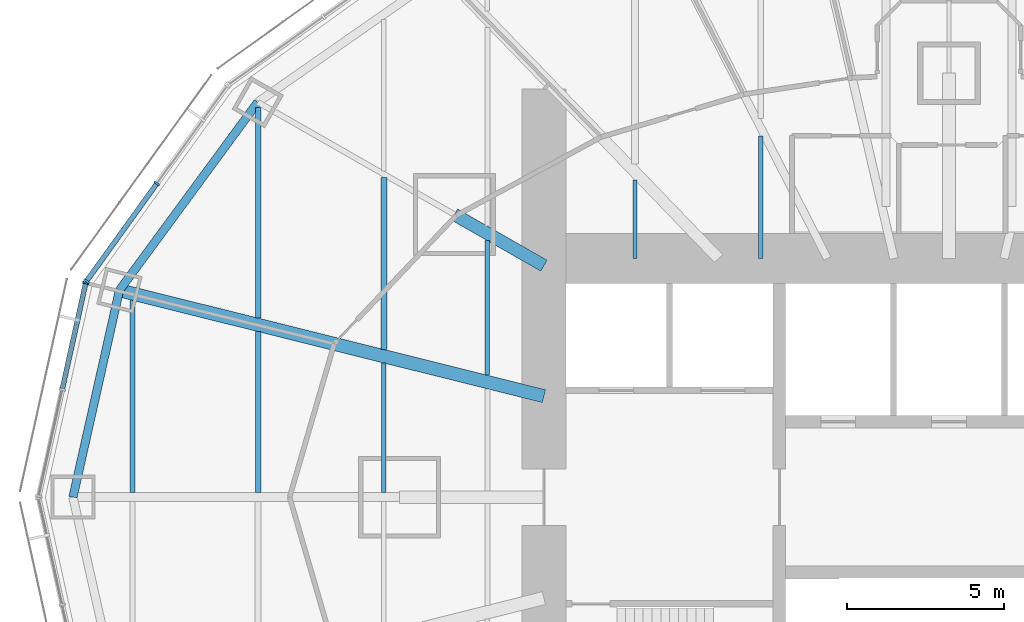
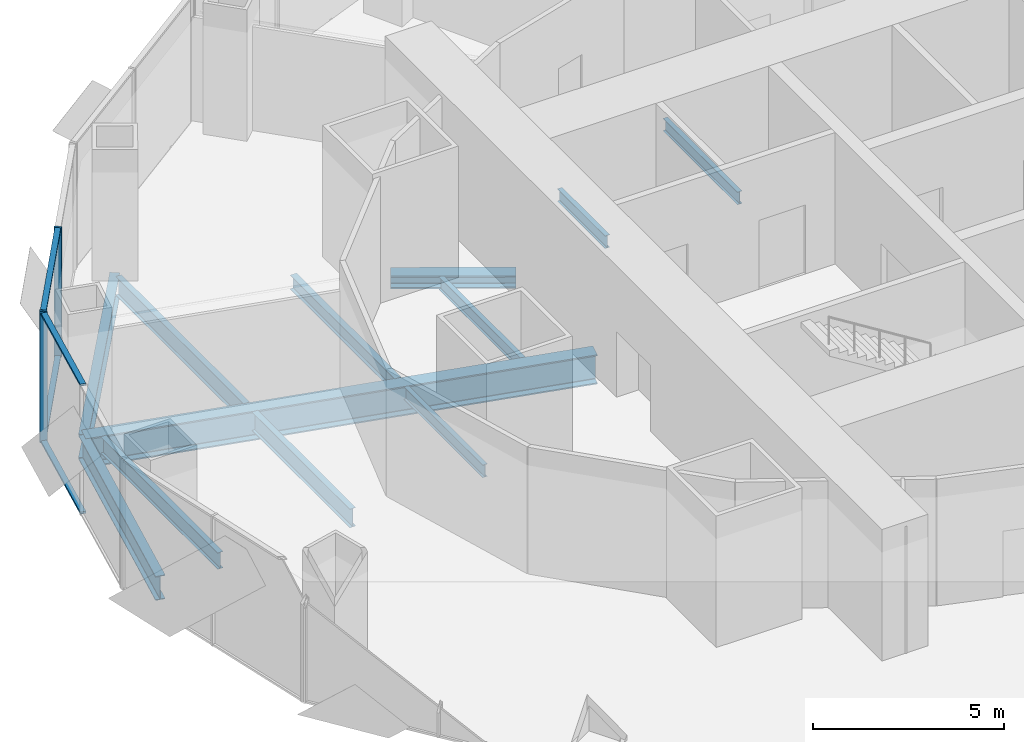
# One storey, part 4 of 18: 12 beams, 7 members, 2 elements without a shape of their own.
"""IFC4 building model written with IfcOpenShell, lengths in metres."""

import ifcopenshell
import ifcopenshell.guid

model = None  # the IFC model being written
_history = None  # IfcOwnerHistory: only IFC2X3 demands one
_inside = {}  # id of a spatial element -> (the spatial element, [elements in it])
_under = {}  # id of a project, library or spatial element -> (it, [spatial elements below it])
_declared = {}  # id of a project -> (the project, [libraries it declares])
_typed = {}  # id of a type object -> (the type object, [elements of that type])
_made_of = {}  # id of a material, layer set ... -> (it, [elements and type objects made of it])


def new_model(schema):
    """Start an empty IFC model of exactly this schema.

    Asked for "IFC4X3", IfcOpenShell would pick the latest addendum, in which some entities
    have other attributes; the version numbers below select the first issue.
    IFC2X3 requires an IfcOwnerHistory on every rooted entity: one is made here for all.
    """
    global model, _history
    if schema == "IFC4X3":
        model = ifcopenshell.file(schema_version=(4, 3, 0, 0))
    else:
        model = ifcopenshell.file(schema=schema)
    _inside.clear()
    _under.clear()
    _declared.clear()
    _typed.clear()
    _made_of.clear()
    _history = None
    if model.schema == "IFC2X3":
        org = make("IfcOrganization", Name="unknown")
        user = make(
            "IfcPersonAndOrganization",
            ThePerson=make("IfcPerson", FamilyName="unknown"),
            TheOrganization=org,
        )
        app = make(
            "IfcApplication",
            ApplicationDeveloper=org,
            Version="unknown",
            ApplicationFullName="unknown",
            ApplicationIdentifier="unknown",
        )
        _history = make(
            "IfcOwnerHistory",
            OwningUser=user,
            OwningApplication=app,
            ChangeAction="ADDED",
            CreationDate=0,
        )
    return model


def make(cls, **values):
    """One entity of the class cls with the attributes given. An attribute that is None is left unset."""
    return model.create_entity(
        cls, **{name: value for name, value in values.items() if value is not None}
    )


def rooted(cls, **values):
    """An entity with a GlobalId (a new one), such as an element, a storey or a relation."""
    return make(cls, GlobalId=ifcopenshell.guid.new(), OwnerHistory=_history, **values)


def si_unit(unit_type, name, prefix=None):
    """IfcSIUnit, for example si_unit("LENGTHUNIT", "METRE", prefix="MILLI")."""
    return make("IfcSIUnit", UnitType=unit_type, Prefix=prefix, Name=name)


def assignment(units):
    """IfcUnitAssignment: the units of a project."""
    return None if units is None else make("IfcUnitAssignment", Units=units)


def point(xyz):
    """IfcCartesianPoint."""
    return None if xyz is None else make("IfcCartesianPoint", Coordinates=xyz)


def direction(xyz):
    """IfcDirection."""
    return None if xyz is None else make("IfcDirection", DirectionRatios=xyz)


def frame(location, z_axis=None, x_axis=None):
    """IfcAxis2Placement3D, a coordinate frame: its origin and axes. An axis left out is left unset."""
    return make(
        "IfcAxis2Placement3D",
        Location=point(location),
        Axis=direction(z_axis),
        RefDirection=direction(x_axis),
    )


def frame_2d(location, x_axis=None):
    """IfcAxis2Placement2D, a coordinate frame in the plane: its origin and x axis."""
    return make(
        "IfcAxis2Placement2D", Location=point(location), RefDirection=direction(x_axis)
    )


def origin():
    """The frame at (0, 0, 0) with its axes left unset."""
    return frame((0.0, 0.0, 0.0))


def origin_2d():
    """The frame at (0, 0) in the plane with its x axis left unset."""
    return frame_2d((0.0, 0.0))


def place(relative_to, where):
    """IfcLocalPlacement: puts the frame where relative to a parent placement (None: the world)."""
    return make(
        "IfcLocalPlacement", PlacementRelTo=relative_to, RelativePlacement=where
    )


def context(
    kind, dimensions, precision=None, world=None, true_north=None, identifier=None
):
    """IfcGeometricRepresentationContext, for example the 3D "Model" context."""
    return make(
        "IfcGeometricRepresentationContext",
        ContextIdentifier=identifier,
        ContextType=kind,
        CoordinateSpaceDimension=dimensions,
        Precision=precision,
        WorldCoordinateSystem=world,
        TrueNorth=true_north,
    )


def subcontext(parent, identifier, kind, view, scale=None):
    """IfcGeometricRepresentationSubContext, for example "Body" below "Model"."""
    return make(
        "IfcGeometricRepresentationSubContext",
        ContextIdentifier=identifier,
        ContextType=kind,
        ParentContext=parent,
        TargetScale=scale,
        TargetView=view,
    )


def project(units=None, contexts=None):
    """IfcProject with its units and contexts."""
    return rooted(
        "IfcProject",
        Name="project",
        RepresentationContexts=contexts,
        UnitsInContext=assignment(units),
    )


def spatial(cls, under=None, at=None, **own):
    """A site, building, storey or space (cls), placed at a placement, below another one or the project."""
    s = rooted(cls, ObjectPlacement=at, **own)
    if under is not None:
        _under.setdefault(under.id(), (under, []))[1].append(s)
    return s


def profile(cls, at=None, kind="AREA", **sizes):
    """A parametric profile (cls). Its sizes go by their IFC names, for example OverallWidth=200.0."""
    return make(cls, ProfileType=kind, Position=at, **sizes)


def rectangle(**sizes):
    """IfcRectangleProfileDef."""
    return profile("IfcRectangleProfileDef", **sizes)


def i_section(**sizes):
    """IfcIShapeProfileDef."""
    return profile("IfcIShapeProfileDef", **sizes)


def extrude(swept, where, along, depth):
    """IfcExtrudedAreaSolid: the profile swept, set in the frame where, extruded along a direction by depth."""
    return make(
        "IfcExtrudedAreaSolid",
        SweptArea=swept,
        Position=where,
        ExtrudedDirection=direction(along),
        Depth=depth,
    )


def shape(context_of_items, identifier, shape_type, items):
    """IfcShapeRepresentation: the items that make up one representation, for example the "Body"."""
    return make(
        "IfcShapeRepresentation",
        ContextOfItems=context_of_items,
        RepresentationIdentifier=identifier,
        RepresentationType=shape_type,
        Items=items,
    )


def material(Name=None, Category=None):
    """IfcMaterial."""
    return make("IfcMaterial", Name=Name, Category=Category)


def material_profile(
    of_material, cross_section, Name=None, Category=None, Priority=None
):
    """IfcMaterialProfile: a cross section and its material."""
    return make(
        "IfcMaterialProfile",
        Name=Name,
        Material=of_material,
        Profile=cross_section,
        Priority=Priority,
        Category=Category,
    )


def profile_set(profiles, Name=None, composite=None):
    """IfcMaterialProfileSet."""
    return make(
        "IfcMaterialProfileSet",
        Name=Name,
        MaterialProfiles=profiles,
        CompositeProfile=composite,
    )


def made_of(thing, what):
    """Note that an element or type object is made of a material, layer set ...; save() writes the relation."""
    if what is not None:
        _made_of.setdefault(what.id(), (what, []))[1].append(thing)
    return thing


def type_object(cls, material=None, **own):
    """A type object (cls), such as IfcWallType, which elements share."""
    return made_of(rooted(cls, **own), material)


def element(
    cls,
    number,
    at=None,
    inside=None,
    cuts=None,
    type_object=None,
    material=None,
    context=None,
    identifier="Body",
    shape_type=None,
    held_by="IfcProductDefinitionShape",
    body=None,
    shapes=None,
    **own,
):
    """One element of the class cls, such as IfcWall. Its Tag is "e" and its number.

    at: its placement. inside: the storey or other place that contains it. cuts: it is an
    opening in that element (IfcRelVoidsElement). A single representation is given by context,
    identifier, shape_type and body (its items); several are given by shapes. held_by: the class
    of the entity that holds the representations. save() writes the other relations.
    """
    e = rooted(cls, Tag="e%d" % number, ObjectPlacement=at, **own)
    if body is not None:
        shapes = [shape(context, identifier, shape_type, body)]
    if shapes is not None:
        e.Representation = make(held_by, Representations=shapes)
    if inside is not None:
        _inside.setdefault(inside.id(), (inside, []))[1].append(e)
    if cuts is not None:
        rooted(
            "IfcRelVoidsElement", RelatingBuildingElement=cuts, RelatedOpeningElement=e
        )
    if type_object is not None:
        _typed.setdefault(type_object.id(), (type_object, []))[1].append(e)
    return made_of(e, material)


def aggregate(whole, parts):
    """IfcRelAggregates: a whole, such as a stair, and the parts it consists of."""
    return rooted("IfcRelAggregates", RelatingObject=whole, RelatedObjects=parts)


def save(model, path):
    """Write the relations noted so far, then the file.

    IfcRelAggregates (storeys below a building ...), IfcRelContainedInSpatialStructure (elements
    in a storey), IfcRelDefinesByType, IfcRelAssociatesMaterial and IfcRelDeclares: one each for
    every whole, place, type object, material and project.
    """
    for whole, parts in _under.values():
        aggregate(whole, parts)
    for where, things in _inside.values():
        rooted(
            "IfcRelContainedInSpatialStructure",
            RelatedElements=things,
            RelatingStructure=where,
        )
    for kind, things in _typed.values():
        rooted("IfcRelDefinesByType", RelatedObjects=things, RelatingType=kind)
    for what, things in _made_of.values():
        rooted("IfcRelAssociatesMaterial", RelatedObjects=things, RelatingMaterial=what)
    for by, libraries in _declared.values():
        rooted("IfcRelDeclares", RelatingContext=by, RelatedDefinitions=libraries)
    model.write(path)


model = new_model("IFC4")

# Units and contexts
model_context = context("Model", 3, precision=1e-05, world=origin(), true_north=direction((0.0, 1.0)))
body_context = subcontext(model_context, "Body", "Model", "MODEL_VIEW")
ifc_project = project(units=[si_unit("LENGTHUNIT", "METRE"), si_unit("AREAUNIT", "SQUARE_METRE"), si_unit("VOLUMEUNIT", "CUBIC_METRE"), si_unit("PLANEANGLEUNIT", "RADIAN"), si_unit("MASSUNIT", "GRAM", prefix="KILO")], contexts=[model_context])

# Site, building, storey
site_placement = place(None, origin())
site = spatial("IfcSite", under=ifc_project, at=site_placement, CompositionType="ELEMENT")
building_placement = place(site_placement, origin())
building = spatial("IfcBuilding", under=site, at=building_placement, Name="Lantaw Convention Tower", CompositionType="ELEMENT")
storey_placement = place(building_placement, frame((0.0, 0.0, 146.800048828125)))
storey = spatial("IfcBuildingStorey", under=building, at=storey_placement, Name="L34", CompositionType="ELEMENT", Elevation=146.800048828125)

# Beams
ifc_material_1 = material(Name="Steel ASTM A992", Category="steel")
ifc_material_profile_1 = material_profile(ifc_material_1, i_section(OverallWidth=0.2666015625, OverallDepth=0.76953125, WebThickness=0.015625, FlangeThickness=0.025390625, FilletRadius=0.0126953125, at=origin_2d()), Name="W30X132")
ifc_profile_set_1 = profile_set([ifc_material_profile_1], Name="Steel ASTM A992")
beam_type_1 = type_object("IfcBeamType", Name="Beam E W30X132", PredefinedType="SPANDREL", material=ifc_profile_set_1)
beam_1_placement = place(storey_placement, frame((-22.013916015625, 12.579345703125, -0.534912109375), z_axis=(-0.5923891972, -0.805651934176, 0.0), x_axis=(0.805651934176, -0.5923891972, 0.0)))
element("IfcBeam", 1, at=beam_1_placement, inside=storey, type_object=beam_type_1, Name="Edge beam 11", PredefinedType="SPANDREL", context=body_context, shape_type="SweptSolid", body=[
    extrude(i_section(OverallWidth=0.2666015625, OverallDepth=0.76953125, WebThickness=0.015625, FlangeThickness=0.025390625, FilletRadius=0.0126953125, at=origin_2d()), origin(), (0.0, 0.0, 1.0), 7.437744140625),
])
beam_2_placement = place(storey_placement, frame((-26.419921875, 6.587158203125, -0.534912109375), z_axis=(-0.219211877447, -0.975677279015, 0.0), x_axis=(0.975677279015, -0.219211877447, 0.0)))
element("IfcBeam", 2, at=beam_2_placement, inside=storey, type_object=beam_type_1, Name="Edge beam 12", PredefinedType="SPANDREL", context=body_context, shape_type="SweptSolid", body=[
    extrude(i_section(OverallWidth=0.2666015625, OverallDepth=0.76953125, WebThickness=0.015625, FlangeThickness=0.025390625, FilletRadius=0.0126953125, at=origin_2d()), origin(), (0.0, 0.0, 1.0), 6.75146484375),
])
ifc_material_profile_2 = material_profile(ifc_material_1, i_section(OverallWidth=0.421630859375, OverallDepth=0.937255859375, WebThickness=0.0224609375, FlangeThickness=0.039794921875, FilletRadius=0.02001953125, at=origin_2d()), Name="W36X282")
ifc_profile_set_2 = profile_set([ifc_material_profile_2], Name="Steel ASTM A992")
beam_type_2 = type_object("IfcBeamType", Name="Beam G W36X282", PredefinedType="BEAM", material=ifc_profile_set_2)
beam_3_placement = place(storey_placement, frame((-12.89990234375, 3.21630859375, -0.61865234375), z_axis=(-0.970296903132, 0.24191717544, 0.0), x_axis=(-0.24191717544, -0.970296903132, 0.0)))
element("IfcBeam", 3, at=beam_3_placement, inside=storey, type_object=beam_type_2, Name="Floor girder on ray 12", PredefinedType="BEAM", context=body_context, shape_type="SweptSolid", body=[
    extrude(i_section(OverallWidth=0.421630859375, OverallDepth=0.937255859375, WebThickness=0.0224609375, FlangeThickness=0.039794921875, FilletRadius=0.02001953125, at=origin_2d()), origin(), (0.0, 0.0, 1.0), 13.933837890625),
])
ifc_material_profile_3 = material_profile(ifc_material_1, i_section(OverallWidth=0.40380859375, OverallDepth=0.406494140625, WebThickness=0.027099609375, FlangeThickness=0.043701171875, FilletRadius=0.01513671875, at=origin_2d()), Name="W14X233")
ifc_profile_set_3 = profile_set([ifc_material_profile_3], Name="Steel ASTM A992")
beam_type_3 = type_object("IfcBeamType", Name="Beam GM W14X233", PredefinedType="BEAM", material=ifc_profile_set_3)
beam_4_placement = place(storey_placement, frame((-12.89990234375, 7.371337890625, -0.353271484375), z_axis=(-0.868238565244, 0.496146947811, 0.0), x_axis=(-0.496146947811, -0.868238565244, 0.0)))
element("IfcBeam", 4, at=beam_4_placement, inside=storey, type_object=beam_type_3, Name="Core link beam on ray 11", PredefinedType="BEAM", context=body_context, shape_type="SweptSolid", body=[
    extrude(i_section(OverallWidth=0.40380859375, OverallDepth=0.406494140625, WebThickness=0.027099609375, FlangeThickness=0.043701171875, FilletRadius=0.01513671875, at=origin_2d()), origin(), (0.0, 0.0, 1.0), 3.28271484375),
])
ifc_material_profile_4 = material_profile(ifc_material_1, i_section(OverallWidth=0.140380859375, OverallDepth=0.40380859375, WebThickness=0.007080078125, FlangeThickness=0.01123046875, FilletRadius=0.01025390625, at=origin_2d()), Name="W16X31")
ifc_profile_set_4 = profile_set([ifc_material_profile_4], Name="Steel ASTM A992")
beam_type_4 = type_object("IfcBeamType", Name="Beam J W16X31", PredefinedType="JOIST", material=ifc_profile_set_4)
beam_5_placement = place(storey_placement, frame((-18.0, 0.14599609375, -0.35205078125), z_axis=(0.0, 1.0, 0.0), x_axis=(-1.0, 0.0, 0.0)))
element("IfcBeam", 5, at=beam_5_placement, inside=storey, type_object=beam_type_4, Name="Floor joist", PredefinedType="JOIST", context=body_context, shape_type="SweptSolid", body=[
    extrude(i_section(OverallWidth=0.140380859375, OverallDepth=0.40380859375, WebThickness=0.007080078125, FlangeThickness=0.01123046875, FilletRadius=0.01025390625, at=origin_2d()), origin(), (0.0, 0.0, 1.0), 4.124755859375),
])
beam_6_placement = place(storey_placement, frame((-14.699951171875, 3.88232421875, -0.35205078125), z_axis=(0.0, 1.0, 0.0), x_axis=(-1.0, 0.0, 0.0)))
element("IfcBeam", 6, at=beam_6_placement, inside=storey, type_object=beam_type_4, Name="Floor joist", PredefinedType="JOIST", context=body_context, shape_type="SweptSolid", body=[
    extrude(i_section(OverallWidth=0.140380859375, OverallDepth=0.40380859375, WebThickness=0.007080078125, FlangeThickness=0.01123046875, FilletRadius=0.01025390625, at=origin_2d()), origin(), (0.0, 0.0, 1.0), 4.28515625),
])
beam_7_placement = place(storey_placement, frame((-10.0, 7.60009765625, -0.35205078125), z_axis=(0.0, 1.0, 0.0), x_axis=(-1.0, 0.0, 0.0)))
element("IfcBeam", 7, at=beam_7_placement, inside=storey, type_object=beam_type_4, Name="Floor joist", PredefinedType="JOIST", context=body_context, shape_type="SweptSolid", body=[
    extrude(i_section(OverallWidth=0.140380859375, OverallDepth=0.40380859375, WebThickness=0.007080078125, FlangeThickness=0.01123046875, FilletRadius=0.01025390625, at=origin_2d()), origin(), (0.0, 0.0, 1.0), 2.49560546875),
])
beam_8_placement = place(storey_placement, frame((-6.0, 7.60009765625, -0.35205078125), z_axis=(0.0, 1.0, 0.0), x_axis=(-1.0, 0.0, 0.0)))
element("IfcBeam", 8, at=beam_8_placement, inside=storey, type_object=beam_type_4, Name="Floor joist", PredefinedType="JOIST", context=body_context, shape_type="SweptSolid", body=[
    extrude(i_section(OverallWidth=0.140380859375, OverallDepth=0.40380859375, WebThickness=0.007080078125, FlangeThickness=0.01123046875, FilletRadius=0.01025390625, at=origin_2d()), origin(), (0.0, 0.0, 1.0), 3.895751953125),
])
ifc_material_profile_5 = material_profile(ifc_material_1, i_section(OverallWidth=0.1904296875, OverallDepth=0.457275390625, WebThickness=0.009033203125, FlangeThickness=0.014404296875, FilletRadius=0.01025390625, at=origin_2d()), Name="W18X50")
ifc_profile_set_5 = profile_set([ifc_material_profile_5], Name="Steel ASTM A992")
beam_type_5 = type_object("IfcBeamType", Name="Beam J W18X50", PredefinedType="JOIST", material=ifc_profile_set_5)
beam_9_placement = place(storey_placement, frame((-18.0, 4.705078125, -0.378662109375), z_axis=(0.0, 1.0, 0.0), x_axis=(-1.0, 0.0, 0.0)))
element("IfcBeam", 9, at=beam_9_placement, inside=storey, type_object=beam_type_5, Name="Floor joist", PredefinedType="JOIST", context=body_context, shape_type="SweptSolid", body=[
    extrude(i_section(OverallWidth=0.1904296875, OverallDepth=0.457275390625, WebThickness=0.009033203125, FlangeThickness=0.014404296875, FilletRadius=0.01025390625, at=origin_2d()), origin(), (0.0, 0.0, 1.0), 5.47802734375),
])
ifc_material_profile_6 = material_profile(ifc_material_1, i_section(OverallWidth=0.1650390625, OverallDepth=0.52587890625, WebThickness=0.0087890625, FlangeThickness=0.011474609375, FilletRadius=0.0126953125, at=origin_2d()), Name="W21X44")
ifc_profile_set_6 = profile_set([ifc_material_profile_6], Name="Steel ASTM A992")
beam_type_6 = type_object("IfcBeamType", Name="Beam J W21X44", PredefinedType="JOIST", material=ifc_profile_set_6)
beam_10_placement = place(storey_placement, frame((-26.0, 0.14599609375, -0.412841796875), z_axis=(0.0, 1.0, 0.0), x_axis=(-1.0, 0.0, 0.0)))
element("IfcBeam", 10, at=beam_10_placement, inside=storey, type_object=beam_type_6, Name="Floor joist", PredefinedType="JOIST", context=body_context, shape_type="SweptSolid", body=[
    extrude(i_section(OverallWidth=0.1650390625, OverallDepth=0.52587890625, WebThickness=0.0087890625, FlangeThickness=0.011474609375, FilletRadius=0.0126953125, at=origin_2d()), origin(), (0.0, 0.0, 1.0), 6.119140625),
])
ifc_material_profile_7 = material_profile(ifc_material_1, i_section(OverallWidth=0.177978515625, OverallDepth=0.599365234375, WebThickness=0.010009765625, FlangeThickness=0.012939453125, FilletRadius=0.012939453125, at=origin_2d()), Name="W24X55")
ifc_profile_set_7 = profile_set([ifc_material_profile_7], Name="Steel ASTM A992")
beam_type_7 = type_object("IfcBeamType", Name="Beam J W24X55", PredefinedType="JOIST", material=ifc_profile_set_7)
beam_11_placement = place(storey_placement, frame((-22.0, 0.14599609375, -0.44970703125), z_axis=(0.0, 1.0, 0.0), x_axis=(-1.0, 0.0, 0.0)))
element("IfcBeam", 11, at=beam_11_placement, inside=storey, type_object=beam_type_7, Name="Floor joist", PredefinedType="JOIST", context=body_context, shape_type="SweptSolid", body=[
    extrude(i_section(OverallWidth=0.177978515625, OverallDepth=0.599365234375, WebThickness=0.010009765625, FlangeThickness=0.012939453125, FilletRadius=0.012939453125, at=origin_2d()), origin(), (0.0, 0.0, 1.0), 5.121826171875),
])
beam_12_placement = place(storey_placement, frame((-22.0, 5.702392578125, -0.44970703125), z_axis=(0.0, 1.0, 0.0), x_axis=(-1.0, 0.0, 0.0)))
element("IfcBeam", 12, at=beam_12_placement, inside=storey, type_object=beam_type_7, Name="Floor joist", PredefinedType="JOIST", context=body_context, shape_type="SweptSolid", body=[
    extrude(i_section(OverallWidth=0.177978515625, OverallDepth=0.599365234375, WebThickness=0.010009765625, FlangeThickness=0.012939453125, FilletRadius=0.012939453125, at=origin_2d()), origin(), (0.0, 0.0, 1.0), 6.70654296875),
])

# Curtain wall, members
ifc_material_2 = material(Name="Aluminium framed curtain wall", Category="aluminium")
curtain_wall_type = type_object("IfcCurtainWallType", Name="Office curtain wall low rise, pale aluminium", PredefinedType="USERDEFINED", material=ifc_material_2)
curtain_wall_1_placement = place(storey_placement, origin())
curtain_wall_1 = element("IfcCurtainWall", 13, at=curtain_wall_1_placement, inside=storey, type_object=curtain_wall_type, Name="Office curtain wall low rise, pale aluminium L34", ObjectType="UNITISED CURTAIN WALL", PredefinedType="USERDEFINED")
ifc_material_3 = material(Name="Aluminium 6063-T6", Category="aluminium")
ifc_material_profile_8 = material_profile(ifc_material_3, rectangle(XDim=0.199951171875, YDim=0.06494140625, at=origin_2d()), Name="CW-O1 mullion 65x200")
ifc_profile_set_8 = profile_set([ifc_material_profile_8], Name="Aluminium 6063-T6")
member_type_1 = type_object("IfcMemberType", Name="CW-O1 mullion 65x200", PredefinedType="MULLION", material=ifc_profile_set_8)
member_1_placement = place(storey_placement, frame((-25.22802734375, 9.9892578125, -0.150146484375), z_axis=(0.0, 0.0, 1.0), x_axis=(0.811384633629, -0.584512597221, 0.0)))
member_1 = element("IfcMember", 14, at=member_1_placement, type_object=member_type_1, Name="CW-O1 mullion 2", PredefinedType="MULLION", context=body_context, shape_type="SweptSolid", body=[
    extrude(rectangle(XDim=0.199951171875, YDim=0.06494140625, at=origin_2d()), origin(), (0.0, 0.0, 1.0), 4.150146484375),
])
member_2_placement = place(storey_placement, frame((-27.46826171875, 6.879638671875, -0.150146484375), z_axis=(0.0, 0.0, 1.0), x_axis=(0.811384633629, -0.584512597221, 0.0)))
member_2 = element("IfcMember", 15, at=member_2_placement, type_object=member_type_1, Name="CW-O1 mullion 3", PredefinedType="MULLION", context=body_context, shape_type="SweptSolid", body=[
    extrude(rectangle(XDim=0.199951171875, YDim=0.06494140625, at=origin_2d()), origin(), (0.0, 0.0, 1.0), 4.150146484375),
])

# Curtain wall, member
curtain_wall_2_placement = place(storey_placement, origin())
curtain_wall_2 = element("IfcCurtainWall", 16, at=curtain_wall_2_placement, inside=storey, type_object=curtain_wall_type, Name="Office curtain wall low rise, pale aluminium L34", ObjectType="UNITISED CURTAIN WALL", PredefinedType="USERDEFINED")
member_3_placement = place(storey_placement, frame((-27.494140625, 6.821533203125, -0.150146484375), z_axis=(0.0, 0.0, 1.0), x_axis=(0.9764936509, -0.215546166174, 0.0)))
member_3 = element("IfcMember", 17, at=member_3_placement, type_object=member_type_1, Name="CW-O1 mullion 1", PredefinedType="MULLION", context=body_context, shape_type="SweptSolid", body=[
    extrude(rectangle(XDim=0.199951171875, YDim=0.06494140625, at=origin_2d()), origin(), (0.0, 0.0, 1.0), 4.150146484375),
])

# Member
ifc_material_profile_9 = material_profile(ifc_material_3, rectangle(XDim=0.159912109375, YDim=0.06494140625, at=origin_2d()), Name="CW-O1 transom 65x160")
ifc_profile_set_9 = profile_set([ifc_material_profile_9], Name="Aluminium 6063-T6")
member_type_2 = type_object("IfcMemberType", Name="CW-O1 transom 65x160", PredefinedType="USERDEFINED", material=ifc_profile_set_9)
member_4_placement = place(storey_placement, frame((-25.2470703125, 9.962890625, -0.117431640625), z_axis=(-0.584512973979, -0.811384362217, 0.0), x_axis=(0.811384362217, -0.584512973979, 0.0)))
member_4 = element("IfcMember", 18, at=member_4_placement, type_object=member_type_2, Name="CW-O1 transom 2.1", ObjectType="TRANSOM", PredefinedType="USERDEFINED", context=body_context, shape_type="SweptSolid", body=[
    extrude(rectangle(XDim=0.159912109375, YDim=0.06494140625, at=origin_2d()), origin(), (0.0, 0.0, 1.0), 3.767578125),
])

member_5_placement = place(storey_placement, frame((-25.2470703125, 9.962890625, 3.967529296875), z_axis=(-0.584512973979, -0.811384362217, 0.0), x_axis=(0.811384362217, -0.584512973979, 0.0)))
member_5 = element("IfcMember", 19, at=member_5_placement, type_object=member_type_2, Name="CW-O1 transom 2.2", ObjectType="TRANSOM", PredefinedType="USERDEFINED", context=body_context, shape_type="SweptSolid", body=[
    extrude(rectangle(XDim=0.159912109375, YDim=0.06494140625, at=origin_2d()), origin(), (0.0, 0.0, 1.0), 3.767578125),
])

aggregate(curtain_wall_1, [member_1, member_2, member_4, member_5])

member_6_placement = place(storey_placement, frame((-27.501220703125, 6.789794921875, -0.117431640625), z_axis=(-0.21555115847, -0.976492548913, 0.0), x_axis=(0.976492548913, -0.21555115847, 0.0)))
member_6 = element("IfcMember", 20, at=member_6_placement, type_object=member_type_2, Name="CW-O1 transom 1.1", ObjectType="TRANSOM", PredefinedType="USERDEFINED", context=body_context, shape_type="SweptSolid", body=[
    extrude(rectangle(XDim=0.159912109375, YDim=0.06494140625, at=origin_2d()), origin(), (0.0, 0.0, 1.0), 3.411376953125),
])

member_7_placement = place(storey_placement, frame((-27.501220703125, 6.789794921875, 3.967529296875), z_axis=(-0.21555115847, -0.976492548913, 0.0), x_axis=(0.976492548913, -0.21555115847, 0.0)))
member_7 = element("IfcMember", 21, at=member_7_placement, type_object=member_type_2, Name="CW-O1 transom 1.2", ObjectType="TRANSOM", PredefinedType="USERDEFINED", context=body_context, shape_type="SweptSolid", body=[
    extrude(rectangle(XDim=0.159912109375, YDim=0.06494140625, at=origin_2d()), origin(), (0.0, 0.0, 1.0), 3.411376953125),
])

aggregate(curtain_wall_2, [member_3, member_6, member_7])

save(model, "model.ifc")
